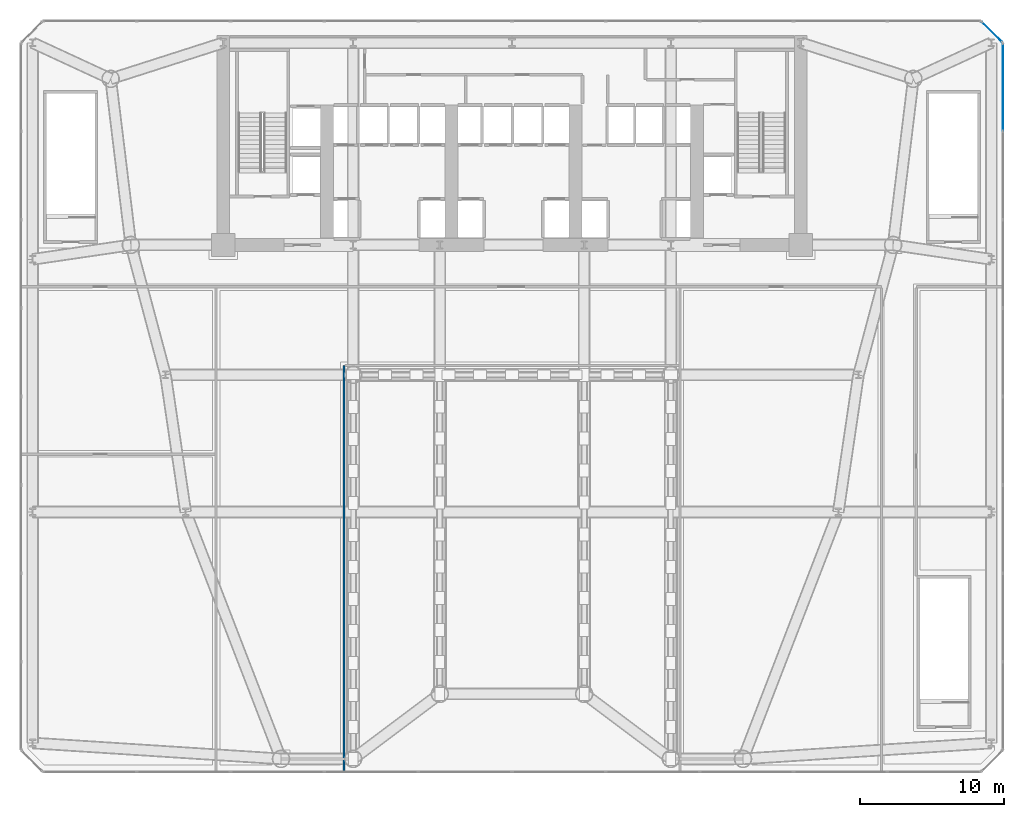
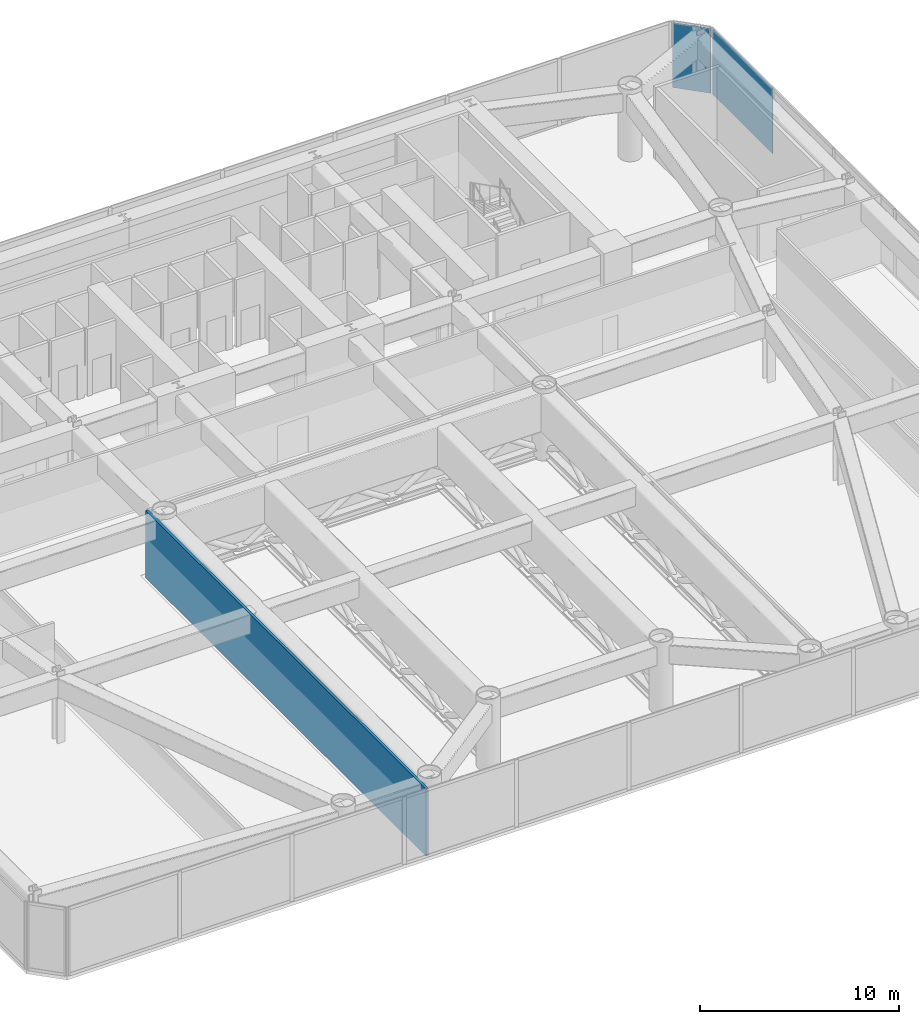
# One storey, part 13 of 21: 2 plates, 1 wall, 2 elements without a shape of their own.
"""IFC4 building model written with IfcOpenShell, lengths in metres."""

from ifc_helpers import new_model, si_unit, direction, frame, frame_2d, origin, origin_2d, place, context, subcontext, project, spatial, rectangle, extrude, source, transform, mapped, material, layer, layer_set, type_object, element, aggregate, save


model = new_model("IFC4")

# Units and contexts
model_context = context("Model", 3, precision=1e-05, world=origin(), true_north=direction((0.0, 1.0)))
body_context = subcontext(model_context, "Body", "Model", "MODEL_VIEW")
ifc_project = project(units=[si_unit("LENGTHUNIT", "METRE"), si_unit("AREAUNIT", "SQUARE_METRE"), si_unit("VOLUMEUNIT", "CUBIC_METRE"), si_unit("PLANEANGLEUNIT", "RADIAN"), si_unit("MASSUNIT", "GRAM", prefix="KILO")], contexts=[model_context])

# Site, building, storey
site_placement = place(None, origin())
site = spatial("IfcSite", under=ifc_project, at=site_placement, CompositionType="ELEMENT")
building_placement = place(site_placement, origin())
building = spatial("IfcBuilding", under=site, at=building_placement, Name="Vaeldorn Concourse Tower", CompositionType="ELEMENT")
storey_placement = place(building_placement, frame((0.0, 0.0, 14.39990234375)))
storey = spatial("IfcBuildingStorey", under=building, at=storey_placement, Name="L03", CompositionType="ELEMENT", Elevation=14.39990234375)

# Curtain wall, plate
ifc_material_1 = material(Name="Anodised Bronze Aluminium", Category="aluminium")
ifc_layer_1 = layer(ifc_material_1, 0.239990234375)
ifc_layer_set_1 = layer_set([ifc_layer_1], Name="Anodised Bronze Aluminium")
curtain_wall_type = type_object("IfcCurtainWallType", Name="CW-SYS-04", PredefinedType="NOTDEFINED", material=ifc_layer_set_1)
curtain_wall_1_placement = place(storey_placement, origin())
curtain_wall_1 = element("IfcCurtainWall", 1, at=curtain_wall_1_placement, inside=storey, type_object=curtain_wall_type, Name="Unitised Curtain Wall CW-L03-E04-1", PredefinedType="NOTDEFINED")
ifc_material_2 = material(Name="Bronze Tinted Low-E Insulated Glass", Category="glass")
ifc_layer_2 = layer(ifc_material_2, 0.031982421875)
ifc_layer_set_2 = layer_set([ifc_layer_2], Name="Bronze Tinted Low-E Insulated Glass")
plate_type = type_object("IfcPlateType", Name="CWP-VISION-32", PredefinedType="CURTAIN_PANEL", material=ifc_layer_set_2)
shared_shape_1 = source(origin(), body_context, "Body", "SweptSolid", [
    extrude(rectangle(XDim=1.971435546875, YDim=0.031982421875, at=origin_2d()), origin(), (0.0, 0.0, 1.0), 3.969970703125),
])
plate_1_placement = place(storey_placement, frame((67.25, 51.25, 0.0751953125), z_axis=(0.0, 0.0, 1.0), x_axis=(-0.707106781187, 0.707106781187, 0.0)))
plate_1 = element("IfcPlate", 2, at=plate_1_placement, type_object=plate_type, Name="CW-04 panel 1.1", PredefinedType="CURTAIN_PANEL", context=body_context, shape_type="MappedRepresentation", body=[
    mapped(shared_shape_1, transform((0.0, 0.0, 0.0), scale=1.0)),
])
aggregate(curtain_wall_1, [plate_1])

curtain_wall_2_placement = place(storey_placement, origin())
curtain_wall_2 = element("IfcCurtainWall", 3, at=curtain_wall_2_placement, inside=storey, type_object=curtain_wall_type, Name="Unitised Curtain Wall CW-L03-E03-1", PredefinedType="NOTDEFINED")
shared_shape_2 = source(origin(), body_context, "Body", "SweptSolid", [
    extrude(rectangle(XDim=6.012451171875, YDim=0.031982421875, at=origin_2d()), origin(), (0.0, 0.0, 1.0), 3.969970703125),
])
plate_2_placement = place(storey_placement, frame((68.0, 47.418701171875, 0.0751953125), z_axis=(0.0, 0.0, 1.0), x_axis=(0.0, 1.0, 0.0)))
plate_2 = element("IfcPlate", 4, at=plate_2_placement, type_object=plate_type, Name="CW-04 panel 8.1", PredefinedType="CURTAIN_PANEL", context=body_context, shape_type="MappedRepresentation", body=[
    mapped(shared_shape_2, transform((0.0, 0.0, 0.0), scale=1.0)),
])
aggregate(curtain_wall_2, [plate_2])

# Wall
ifc_material_3 = material(Name="Gypsum Board Partition", Category="gypsum")
ifc_layer_3 = layer(ifc_material_3, 0.14990234375)
ifc_layer_set_3 = layer_set([ifc_layer_3], Name="Gypsum Board Partition")
wall_type = type_object("IfcWallType", Name="WL-PART-150", PredefinedType="PARTITIONING", material=ifc_layer_set_3)
wall_placement = place(storey_placement, frame((22.360107421875, 0.0400390625, 0.0), z_axis=(0.0, 0.0, 1.0), x_axis=(0.0, 1.0, 0.0)))
element("IfcWall", 5, at=wall_placement, inside=storey, type_object=wall_type, Name="Interior Wall PW-L03-TRW", PredefinedType="PARTITIONING", context=body_context, shape_type="SweptSolid", body=[
    extrude(rectangle(XDim=28.099853515625, YDim=0.14990234375, at=frame_2d((14.0498046875, 0.0))), origin(), (0.0, 0.0, 1.0), 4.1201171875),
])

save(model, "model.ifc")
